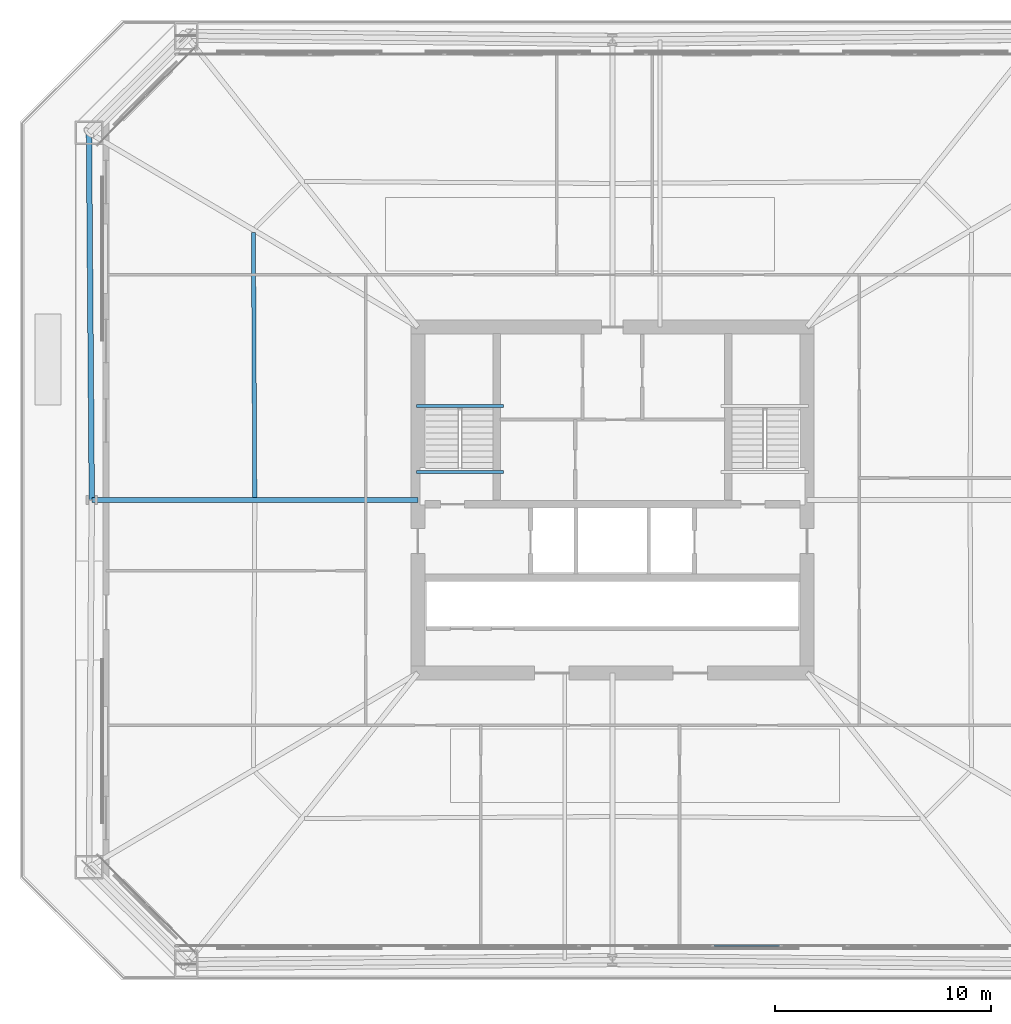
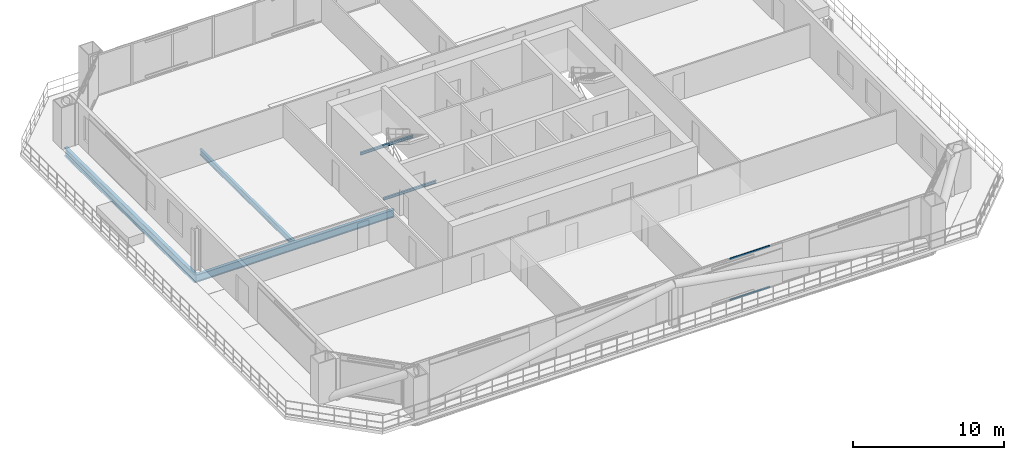
# One storey, part 8 of 34: 5 beams, 2 members, 1 element without a shape of its own.
"""IFC4 building model written with IfcOpenShell, lengths in metres."""

from ifc_helpers import new_model, si_unit, direction, frame, origin, origin_2d, place, context, subcontext, project, spatial, hollow_rectangle, i_section, extrude, material, layer, layer_set, material_profile, profile_set, type_object, element, aggregate, save


model = new_model("IFC4")

# Units and contexts
model_context = context("Model", 3, precision=1e-05, world=origin(), true_north=direction((0.0, 1.0)))
body_context = subcontext(model_context, "Body", "Model", "MODEL_VIEW")
ifc_project = project(units=[si_unit("LENGTHUNIT", "METRE"), si_unit("AREAUNIT", "SQUARE_METRE"), si_unit("VOLUMEUNIT", "CUBIC_METRE"), si_unit("PLANEANGLEUNIT", "RADIAN"), si_unit("MASSUNIT", "GRAM", prefix="KILO")], contexts=[model_context])

# Site, building, storey
site_placement = place(None, origin())
site = spatial("IfcSite", under=ifc_project, at=site_placement, CompositionType="ELEMENT")
building_placement = place(site_placement, origin())
building = spatial("IfcBuilding", under=site, at=building_placement, Name="Caelvoria Tower", CompositionType="ELEMENT")
storey_placement = place(building_placement, frame((0.0, 0.0, 28.0)))
storey = spatial("IfcBuildingStorey", under=building, at=storey_placement, Name="L06", CompositionType="ELEMENT", Elevation=28.0)

# Beams
ifc_material_1 = material(Name="Structural Steel ASTM A992 Gr.50", Category="steel")
ifc_material_profile_1 = material_profile(ifc_material_1, i_section(OverallWidth=0.134033203125, OverallDepth=0.2099609375, WebThickness=0.00634765625, FlangeThickness=0.01025390625, FilletRadius=0.010009765625, at=origin_2d()), Name="Structural Steel ASTM A992 Gr.50")
ifc_profile_set_1 = profile_set([ifc_material_profile_1], Name="W200X31.3 - Structural Steel ASTM A992 Gr.50")
beam_type_1 = type_object("IfcBeamType", Name="Canopy Edge Trim Beam W200X31.3", PredefinedType="BEAM", material=ifc_profile_set_1)
for number, where, z_axis, x_axis, name in (
    (1, (36.929931640625, 36.35009765625, 1.4951171875), (1.0, 0.0, 0.0), (0.0, 1.0, 0.0), "ST-01 Half-Landing Support Beam L06"),
    (2, (36.929931640625, 33.300048828125, -0.304931640625), (1.0, 0.0, 0.0), (0.0, 1.0, 0.0), "ST-01 Floor-Landing Support Beam L06"),
):
    element("IfcBeam", number, at=place(storey_placement, frame(where, z_axis=z_axis, x_axis=x_axis)), inside=storey, type_object=beam_type_1, Name=name, PredefinedType="BEAM", context=body_context, shape_type="SweptSolid", body=[
        extrude(i_section(OverallWidth=0.134033203125, OverallDepth=0.2099609375, WebThickness=0.00634765625, FlangeThickness=0.01025390625, FilletRadius=0.010009765625, at=origin_2d()), origin(), (0.0, 0.0, 1.0), 4.0400390625),
    ])

# Curtain wall, members
ifc_material_2 = material(Name="Anodised Bronze Aluminium and Low-E Glass", Category="aluminium")
ifc_layer = layer(ifc_material_2, 0.18505859375, Name="Anodised Bronze Aluminium and Low-E Glass")
ifc_layer_set = layer_set([ifc_layer], Name="CW System 2 Lower Tower Bronze Unitised Facade - Anodised Bronze Aluminium and Low-E Glass")
curtain_wall_type = type_object("IfcCurtainWallType", Name="CW System 2 Lower Tower Bronze Unitised Facade", PredefinedType="NOTDEFINED", material=ifc_layer_set)
curtain_wall_placement = place(storey_placement, origin())
curtain_wall = element("IfcCurtainWall", 3, at=curtain_wall_placement, inside=storey, type_object=curtain_wall_type, Name="CW-02 Curtain Wall L06-E0", PredefinedType="NOTDEFINED")
ifc_material_3 = material(Name="Anodised Bronze Architectural Aluminium", Category="aluminium")
ifc_material_profile_2 = material_profile(ifc_material_3, hollow_rectangle(XDim=0.06494140625, YDim=0.1298828125, WallThickness=0.00341796875, at=origin_2d()), Name="Anodised Bronze Architectural Aluminium")
ifc_profile_set_2 = profile_set([ifc_material_profile_2], Name="CW_TRAN_65X130 - Anodised Bronze Architectural Aluminium")
member_type = type_object("IfcMemberType", Name="Curtain Wall Transom 65x130 Bronze Aluminium", PredefinedType="USERDEFINED", material=ifc_profile_set_2)
member_1_placement = place(storey_placement, frame((50.694091796875, 11.3798828125, 0.032470703125), z_axis=(1.0, 0.0, 0.0), x_axis=(0.0, 1.0, 0.0)))
member_1 = element("IfcMember", 4, at=member_1_placement, type_object=member_type, Name="CW-02 transom 9.1", ObjectType="TRANSOM", PredefinedType="USERDEFINED", context=body_context, shape_type="SweptSolid", body=[
    extrude(hollow_rectangle(XDim=0.06494140625, YDim=0.1298828125, WallThickness=0.00341796875, at=origin_2d()), origin(), (0.0, 0.0, 1.0), 3.042724609375),
])
member_2_placement = place(storey_placement, frame((50.694091796875, 11.3798828125, 3.327392578125), z_axis=(1.0, 0.0, 0.0), x_axis=(0.0, 1.0, 0.0)))
member_2 = element("IfcMember", 5, at=member_2_placement, type_object=member_type, Name="CW-02 transom 9.2", ObjectType="TRANSOM", PredefinedType="USERDEFINED", context=body_context, shape_type="SweptSolid", body=[
    extrude(hollow_rectangle(XDim=0.06494140625, YDim=0.1298828125, WallThickness=0.00341796875, at=origin_2d()), origin(), (0.0, 0.0, 1.0), 3.042724609375),
])
aggregate(curtain_wall, [member_1, member_2])

# Beams
ifc_material_profile_3 = material_profile(ifc_material_1, i_section(OverallWidth=0.25390625, OverallDepth=0.68798828125, WebThickness=0.01318359375, FlangeThickness=0.02099609375, FilletRadius=0.01904296875, at=origin_2d()), Name="Structural Steel ASTM A992 Gr.50")
ifc_profile_set_3 = profile_set([ifc_material_profile_3], Name="W690X152 - Structural Steel ASTM A992 Gr.50")
beam_type_2 = type_object("IfcBeamType", Name="Perimeter Spandrel Girder W690X152", PredefinedType="BEAM", material=ifc_profile_set_3)
beam_1_placement = place(storey_placement, frame((21.789306640625, 48.986572265625, -0.6640625), z_axis=(0.007689095313, -0.99997043847, 0.0), x_axis=(0.99997043847, 0.007689095313, 0.0)))
element("IfcBeam", 6, at=beam_1_placement, inside=storey, type_object=beam_type_2, Name="Perimeter Spandrel Girder L06-09", PredefinedType="BEAM", context=body_context, shape_type="SweptSolid", body=[
    extrude(i_section(OverallWidth=0.25390625, OverallDepth=0.68798828125, WebThickness=0.01318359375, FlangeThickness=0.02099609375, FilletRadius=0.01904296875, at=origin_2d()), origin(), (0.0, 0.0, 1.0), 16.987060546875),
])
ifc_material_profile_4 = material_profile(ifc_material_1, i_section(OverallWidth=0.22900390625, OverallDepth=0.612060546875, WebThickness=0.011962890625, FlangeThickness=0.01953125, FilletRadius=0.01806640625, at=origin_2d()), Name="Structural Steel ASTM A992 Gr.50")
ifc_profile_set_4 = profile_set([ifc_material_profile_4], Name="W610X125 - Structural Steel ASTM A992 Gr.50")
beam_type_3 = type_object("IfcBeamType", Name="Primary Radial Floor Girder W610X125", PredefinedType="BEAM", material=ifc_profile_set_4)
beam_2_placement = place(storey_placement, frame((37.0, 32.0, -0.6259765625), z_axis=(-1.0, 0.0, 0.0), x_axis=(0.0, -1.0, 0.0)))
element("IfcBeam", 7, at=beam_2_placement, inside=storey, type_object=beam_type_3, Name="Primary Floor Girder L06-10", PredefinedType="BEAM", context=body_context, shape_type="SweptSolid", body=[
    extrude(i_section(OverallWidth=0.22900390625, OverallDepth=0.612060546875, WebThickness=0.011962890625, FlangeThickness=0.01953125, FilletRadius=0.01806640625, at=origin_2d()), origin(), (0.0, 0.0, 1.0), 15.080078125),
])
ifc_material_profile_5 = material_profile(ifc_material_1, i_section(OverallWidth=0.18994140625, OverallDepth=0.45703125, WebThickness=0.009033203125, FlangeThickness=0.014404296875, FilletRadius=0.014892578125, at=origin_2d()), Name="Structural Steel ASTM A992 Gr.50")
ifc_profile_set_5 = profile_set([ifc_material_profile_5], Name="W460X74 - Structural Steel ASTM A992 Gr.50")
beam_type_4 = type_object("IfcBeamType", Name="Secondary Floor Beam W460X74", PredefinedType="BEAM", material=ifc_profile_set_5)
beam_3_placement = place(storey_placement, frame((29.3955078125, 44.368408203125, -0.548583984375), z_axis=(0.005204420133, -0.999986456914, 0.0), x_axis=(0.999986456914, 0.005204420133, 0.0)))
element("IfcBeam", 8, at=beam_3_placement, inside=storey, type_object=beam_type_4, Name="Secondary Floor Beam L06-09", PredefinedType="BEAM", context=body_context, shape_type="SweptSolid", body=[
    extrude(i_section(OverallWidth=0.18994140625, OverallDepth=0.45703125, WebThickness=0.009033203125, FlangeThickness=0.014404296875, FilletRadius=0.014892578125, at=origin_2d()), origin(), (0.0, 0.0, 1.0), 12.24365234375),
])

save(model, "model.ifc")
